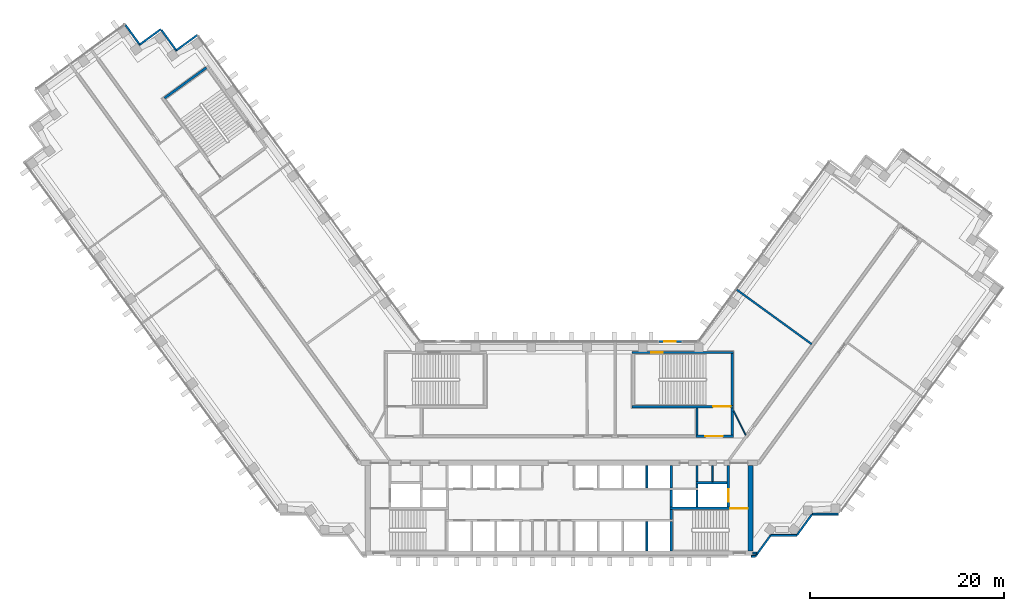
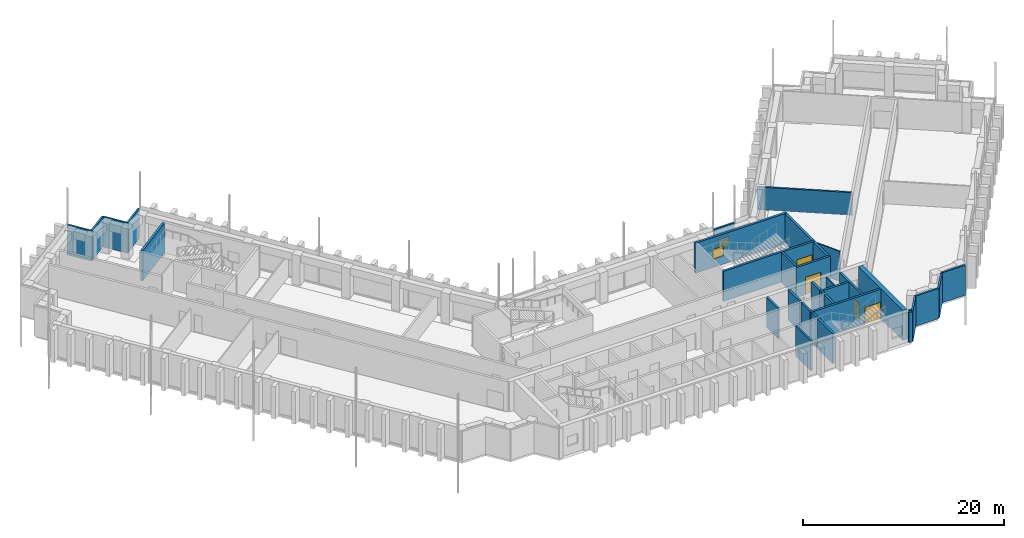
# One storey, part 12 of 16: 34 walls, 4 doors, 2 windows, 6 openings.
"""IFC4 building model written with IfcOpenShell, lengths in metres."""

import ifcopenshell
import ifcopenshell.guid

model = None  # the IFC model being written
_history = None  # IfcOwnerHistory: only IFC2X3 demands one
_inside = {}  # id of a spatial element -> (the spatial element, [elements in it])
_under = {}  # id of a project, library or spatial element -> (it, [spatial elements below it])
_declared = {}  # id of a project -> (the project, [libraries it declares])
_typed = {}  # id of a type object -> (the type object, [elements of that type])
_made_of = {}  # id of a material, layer set ... -> (it, [elements and type objects made of it])


def new_model(schema):
    """Start an empty IFC model of exactly this schema.

    Asked for "IFC4X3", IfcOpenShell would pick the latest addendum, in which some entities
    have other attributes; the version numbers below select the first issue.
    IFC2X3 requires an IfcOwnerHistory on every rooted entity: one is made here for all.
    """
    global model, _history
    if schema == "IFC4X3":
        model = ifcopenshell.file(schema_version=(4, 3, 0, 0))
    else:
        model = ifcopenshell.file(schema=schema)
    _inside.clear()
    _under.clear()
    _declared.clear()
    _typed.clear()
    _made_of.clear()
    _history = None
    if model.schema == "IFC2X3":
        org = make("IfcOrganization", Name="unknown")
        user = make(
            "IfcPersonAndOrganization",
            ThePerson=make("IfcPerson", FamilyName="unknown"),
            TheOrganization=org,
        )
        app = make(
            "IfcApplication",
            ApplicationDeveloper=org,
            Version="unknown",
            ApplicationFullName="unknown",
            ApplicationIdentifier="unknown",
        )
        _history = make(
            "IfcOwnerHistory",
            OwningUser=user,
            OwningApplication=app,
            ChangeAction="ADDED",
            CreationDate=0,
        )
    return model


def make(cls, **values):
    """One entity of the class cls with the attributes given. An attribute that is None is left unset."""
    return model.create_entity(
        cls, **{name: value for name, value in values.items() if value is not None}
    )


def rooted(cls, **values):
    """An entity with a GlobalId (a new one), such as an element, a storey or a relation."""
    return make(cls, GlobalId=ifcopenshell.guid.new(), OwnerHistory=_history, **values)


def si_unit(unit_type, name, prefix=None):
    """IfcSIUnit, for example si_unit("LENGTHUNIT", "METRE", prefix="MILLI")."""
    return make("IfcSIUnit", UnitType=unit_type, Prefix=prefix, Name=name)


def assignment(units):
    """IfcUnitAssignment: the units of a project."""
    return None if units is None else make("IfcUnitAssignment", Units=units)


def point(xyz):
    """IfcCartesianPoint."""
    return None if xyz is None else make("IfcCartesianPoint", Coordinates=xyz)


def direction(xyz):
    """IfcDirection."""
    return None if xyz is None else make("IfcDirection", DirectionRatios=xyz)


def frame(location, z_axis=None, x_axis=None):
    """IfcAxis2Placement3D, a coordinate frame: its origin and axes. An axis left out is left unset."""
    return make(
        "IfcAxis2Placement3D",
        Location=point(location),
        Axis=direction(z_axis),
        RefDirection=direction(x_axis),
    )


def frame_2d(location, x_axis=None):
    """IfcAxis2Placement2D, a coordinate frame in the plane: its origin and x axis."""
    return make(
        "IfcAxis2Placement2D", Location=point(location), RefDirection=direction(x_axis)
    )


def origin():
    """The frame at (0, 0, 0) with its axes left unset."""
    return frame((0.0, 0.0, 0.0))


def place(relative_to, where):
    """IfcLocalPlacement: puts the frame where relative to a parent placement (None: the world)."""
    return make(
        "IfcLocalPlacement", PlacementRelTo=relative_to, RelativePlacement=where
    )


def context(
    kind, dimensions, precision=None, world=None, true_north=None, identifier=None
):
    """IfcGeometricRepresentationContext, for example the 3D "Model" context."""
    return make(
        "IfcGeometricRepresentationContext",
        ContextIdentifier=identifier,
        ContextType=kind,
        CoordinateSpaceDimension=dimensions,
        Precision=precision,
        WorldCoordinateSystem=world,
        TrueNorth=true_north,
    )


def subcontext(parent, identifier, kind, view, scale=None):
    """IfcGeometricRepresentationSubContext, for example "Body" below "Model"."""
    return make(
        "IfcGeometricRepresentationSubContext",
        ContextIdentifier=identifier,
        ContextType=kind,
        ParentContext=parent,
        TargetScale=scale,
        TargetView=view,
    )


def project(units=None, contexts=None):
    """IfcProject with its units and contexts."""
    return rooted(
        "IfcProject",
        Name="project",
        RepresentationContexts=contexts,
        UnitsInContext=assignment(units),
    )


def spatial(cls, under=None, at=None, **own):
    """A site, building, storey or space (cls), placed at a placement, below another one or the project."""
    s = rooted(cls, ObjectPlacement=at, **own)
    if under is not None:
        _under.setdefault(under.id(), (under, []))[1].append(s)
    return s


def profile(cls, at=None, kind="AREA", **sizes):
    """A parametric profile (cls). Its sizes go by their IFC names, for example OverallWidth=200.0."""
    return make(cls, ProfileType=kind, Position=at, **sizes)


def rectangle(**sizes):
    """IfcRectangleProfileDef."""
    return profile("IfcRectangleProfileDef", **sizes)


def extrude(swept, where, along, depth):
    """IfcExtrudedAreaSolid: the profile swept, set in the frame where, extruded along a direction by depth."""
    return make(
        "IfcExtrudedAreaSolid",
        SweptArea=swept,
        Position=where,
        ExtrudedDirection=direction(along),
        Depth=depth,
    )


def shape(context_of_items, identifier, shape_type, items):
    """IfcShapeRepresentation: the items that make up one representation, for example the "Body"."""
    return make(
        "IfcShapeRepresentation",
        ContextOfItems=context_of_items,
        RepresentationIdentifier=identifier,
        RepresentationType=shape_type,
        Items=items,
    )


def material(Name=None, Category=None):
    """IfcMaterial."""
    return make("IfcMaterial", Name=Name, Category=Category)


def layer(
    of_material, thickness, ventilated=None, Name=None, Category=None, Priority=None
):
    """IfcMaterialLayer: one layer of a wall or slab, of a material (None: an air gap)."""
    return make(
        "IfcMaterialLayer",
        Material=of_material,
        LayerThickness=thickness,
        IsVentilated=ventilated,
        Name=Name,
        Category=Category,
        Priority=Priority,
    )


def layer_set(layers, Name=None):
    """IfcMaterialLayerSet."""
    return make("IfcMaterialLayerSet", MaterialLayers=layers, LayerSetName=Name)


def made_of(thing, what):
    """Note that an element or type object is made of a material, layer set ...; save() writes the relation."""
    if what is not None:
        _made_of.setdefault(what.id(), (what, []))[1].append(thing)
    return thing


def type_object(cls, material=None, **own):
    """A type object (cls), such as IfcWallType, which elements share."""
    return made_of(rooted(cls, **own), material)


def element(
    cls,
    number,
    at=None,
    inside=None,
    cuts=None,
    type_object=None,
    material=None,
    context=None,
    identifier="Body",
    shape_type=None,
    held_by="IfcProductDefinitionShape",
    body=None,
    shapes=None,
    **own,
):
    """One element of the class cls, such as IfcWall. Its Tag is "e" and its number.

    at: its placement. inside: the storey or other place that contains it. cuts: it is an
    opening in that element (IfcRelVoidsElement). A single representation is given by context,
    identifier, shape_type and body (its items); several are given by shapes. held_by: the class
    of the entity that holds the representations. save() writes the other relations.
    """
    e = rooted(cls, Tag="e%d" % number, ObjectPlacement=at, **own)
    if body is not None:
        shapes = [shape(context, identifier, shape_type, body)]
    if shapes is not None:
        e.Representation = make(held_by, Representations=shapes)
    if inside is not None:
        _inside.setdefault(inside.id(), (inside, []))[1].append(e)
    if cuts is not None:
        rooted(
            "IfcRelVoidsElement", RelatingBuildingElement=cuts, RelatedOpeningElement=e
        )
    if type_object is not None:
        _typed.setdefault(type_object.id(), (type_object, []))[1].append(e)
    return made_of(e, material)


def fill(opening, filler):
    """IfcRelFillsElement: the door or window that sits in an opening."""
    return rooted(
        "IfcRelFillsElement",
        RelatingOpeningElement=opening,
        RelatedBuildingElement=filler,
    )


def aggregate(whole, parts):
    """IfcRelAggregates: a whole, such as a stair, and the parts it consists of."""
    return rooted("IfcRelAggregates", RelatingObject=whole, RelatedObjects=parts)


def save(model, path):
    """Write the relations noted so far, then the file.

    IfcRelAggregates (storeys below a building ...), IfcRelContainedInSpatialStructure (elements
    in a storey), IfcRelDefinesByType, IfcRelAssociatesMaterial and IfcRelDeclares: one each for
    every whole, place, type object, material and project.
    """
    for whole, parts in _under.values():
        aggregate(whole, parts)
    for where, things in _inside.values():
        rooted(
            "IfcRelContainedInSpatialStructure",
            RelatedElements=things,
            RelatingStructure=where,
        )
    for kind, things in _typed.values():
        rooted("IfcRelDefinesByType", RelatedObjects=things, RelatingType=kind)
    for what, things in _made_of.values():
        rooted("IfcRelAssociatesMaterial", RelatedObjects=things, RelatingMaterial=what)
    for by, libraries in _declared.values():
        rooted("IfcRelDeclares", RelatingContext=by, RelatedDefinitions=libraries)
    model.write(path)


model = new_model("IFC4")

# Units and contexts
model_context = context("Model", 3, precision=1e-05, world=origin(), true_north=direction((0.0, 1.0)))
body_context = subcontext(model_context, "Body", "Model", "MODEL_VIEW")
ifc_project = project(units=[si_unit("LENGTHUNIT", "METRE"), si_unit("AREAUNIT", "SQUARE_METRE"), si_unit("VOLUMEUNIT", "CUBIC_METRE"), si_unit("PLANEANGLEUNIT", "RADIAN"), si_unit("MASSUNIT", "GRAM", prefix="KILO")], contexts=[model_context])

# Site, building, storey
site_placement = place(None, origin())
site = spatial("IfcSite", under=ifc_project, at=site_placement, CompositionType="ELEMENT")
building_placement = place(site_placement, origin())
building = spatial("IfcBuilding", under=site, at=building_placement, Name="Quipu Civic Tower", CompositionType="ELEMENT")
storey_placement = place(building_placement, frame((0.0, 0.0, 125.0)))
storey = spatial("IfcBuildingStorey", under=building, at=storey_placement, Name="L29", CompositionType="ELEMENT", Elevation=125.0)

# Walls
ifc_material_1 = material(Name="Fired clay blockwork", Category="masonry")
ifc_layer_1 = layer(ifc_material_1, 0.199951171875)
ifc_layer_set_1 = layer_set([ifc_layer_1], Name="Fired clay blockwork")
wall_type_1 = type_object("IfcWallType", Name="Blockwork wall 200", PredefinedType="SOLIDWALL", material=ifc_layer_set_1)
wall_1_placement = place(storey_placement, frame((26.0771484375, 10.831787109375, 0.0), z_axis=(0.0, 0.0, 1.0), x_axis=(-0.809052142986, 0.587736871338, 0.0)))
element("IfcWall", 1, at=wall_1_placement, inside=storey, type_object=wall_type_1, Name="Partition P11", PredefinedType="SOLIDWALL", context=body_context, shape_type="SweptSolid", body=[
    extrude(rectangle(XDim=9.5498046875, YDim=0.199951171875, at=frame_2d((4.77490234375, 0.0))), origin(), (0.0, 0.0, 1.0), 2.75),
])
ifc_material_2 = material(Name="Concrete C70/85", Category="concrete")
ifc_layer_2 = layer(ifc_material_2, 0.25)
ifc_layer_set_2 = layer_set([ifc_layer_2], Name="Concrete C70/85")
wall_type_2 = type_object("IfcWallType", Name="Core wall 250", PredefinedType="SHEAR", material=ifc_layer_set_2)
wall_2_placement = place(storey_placement, frame((11.574951171875, -10.5, 0.0), z_axis=(0.0, 0.0, 1.0), x_axis=(0.0, 1.0, 0.0)))
element("IfcWall", 2, at=wall_2_placement, inside=storey, type_object=wall_type_2, Name="Core wall", PredefinedType="SHEAR", context=body_context, shape_type="SweptSolid", body=[
    extrude(rectangle(XDim=3.0, YDim=0.25, at=frame_2d((1.5, 0.0))), origin(), (0.0, 0.0, 1.0), 3.64990234375),
])
wall_3_placement = place(storey_placement, frame((11.574951171875, -7.25, 0.0), z_axis=(0.0, 0.0, 1.0), x_axis=(0.0, 1.0, 0.0)))
element("IfcWall", 3, at=wall_3_placement, inside=storey, type_object=wall_type_2, Name="Core wall", PredefinedType="SHEAR", context=body_context, shape_type="SweptSolid", body=[
    extrude(rectangle(XDim=1.0, YDim=0.25, at=frame_2d((0.5, 0.0))), origin(), (0.0, 0.0, 1.0), 3.64990234375),
])

# Wall, opening, door
wall_4_placement = place(storey_placement, frame((19.5, -6.125, 0.0), z_axis=(0.0, 0.0, 1.0), x_axis=(-1.0, 0.0, 0.0)))
wall_4 = element("IfcWall", 4, at=wall_4_placement, inside=storey, type_object=wall_type_2, Name="Core wall", PredefinedType="SHEAR", context=body_context, shape_type="SweptSolid", body=[
    extrude(rectangle(XDim=8.050048828125, YDim=0.25, at=frame_2d((4.02490234375, 0.0))), origin(), (0.0, 0.0, 1.0), 3.64990234375),
])
opening_1_placement = place(wall_4_placement, frame((0.050048828125, 0.0, 0.0)))
opening_1 = element("IfcOpeningElement", 5, at=opening_1_placement, cuts=wall_4, Name="Opening CD-06", PredefinedType="OPENING", context=body_context, shape_type="SweptSolid", body=[
    extrude(rectangle(XDim=1.800048828125, YDim=2.10009765625, at=frame_2d((0.89990234375, 1.050048828125))), frame((0.0, 0.135009765625, 0.0), z_axis=(0.0, -1.0, 0.0), x_axis=(1.0, 0.0, 0.0)), (0.0, 0.0, 1.0), 0.27001953125),
])
ifc_material_3 = material(Name="Fire rated steel door", Category="steel")
door_type_1 = type_object("IfcDoorType", Name="Fire door FD90 double 1800 x 2100", OperationType="NOTDEFINED", PredefinedType="DOOR", material=ifc_material_3)
door_1_placement = place(opening_1_placement, origin())
door_1 = element("IfcDoor", 6, at=door_1_placement, inside=storey, type_object=door_type_1, Name="Door", OperationType="DOUBLE_DOOR_SINGLE_SWING", OverallHeight=2.10009765625, OverallWidth=1.800048828125, PredefinedType="DOOR", context=body_context, shape_type="SweptSolid", body=[
    extrude(rectangle(XDim=1.800048828125, YDim=2.10009765625, at=frame_2d((0.89990234375, 1.050048828125))), frame((0.0, 0.02490234375, 0.0), z_axis=(0.0, -1.0, 0.0), x_axis=(1.0, 0.0, 0.0)), (0.0, 0.0, 1.0), 0.050048828125),
])
fill(opening_1, door_1)

# Walls
for number, where, z_axis, x_axis, name in (
    (7, (11.574951171875, -6.0, 0.0), (0.0, 0.0, 1.0), (0.0, 1.0, 0.0), "Core wall"),
    (8, (14.22509765625, -6.0, 0.0), (0.0, 0.0, 1.0), (0.0, 1.0, 0.0), "Core wall"),
):
    element("IfcWall", number, at=place(storey_placement, frame(where, z_axis=z_axis, x_axis=x_axis)), inside=storey, type_object=wall_type_2, Name=name, PredefinedType="SHEAR", context=body_context, shape_type="SweptSolid", body=[
        extrude(rectangle(XDim=1.75, YDim=0.25, at=frame_2d((0.875, 0.0))), origin(), (0.0, 0.0, 1.0), 3.64990234375),
    ])

# Wall, opening, door
wall_5_placement = place(storey_placement, frame((17.47509765625, -6.0, 0.0), z_axis=(0.0, 0.0, 1.0), x_axis=(0.0, 1.0, 0.0)))
wall_5 = element("IfcWall", 9, at=wall_5_placement, inside=storey, type_object=wall_type_2, Name="Core wall", PredefinedType="SHEAR", context=body_context, shape_type="SweptSolid", body=[
    extrude(rectangle(XDim=4.300048828125, YDim=0.25, at=frame_2d((2.14990234375, 0.0))), origin(), (0.0, 0.0, 1.0), 3.64990234375),
])
opening_2_placement = place(wall_5_placement, frame((0.550048828125, 0.0, 0.0)))
opening_2 = element("IfcOpeningElement", 10, at=opening_2_placement, cuts=wall_5, Name="Opening LD-FF2", PredefinedType="OPENING", context=body_context, shape_type="SweptSolid", body=[
    extrude(rectangle(XDim=1.300048828125, YDim=2.10009765625, at=frame_2d((0.64990234375, 1.050048828125))), frame((0.0, 0.135009765625, 0.0), z_axis=(0.0, -1.0, 0.0), x_axis=(1.0, 0.0, 0.0)), (0.0, 0.0, 1.0), 0.27001953125),
])
ifc_material_4 = material(Name="Stainless steel", Category="steel")
door_type_2 = type_object("IfcDoorType", Name="Lift landing door 1300 x 2100", OperationType="DOUBLE_DOOR_SLIDING", PredefinedType="DOOR", material=ifc_material_4)
door_2_placement = place(opening_2_placement, origin())
door_2 = element("IfcDoor", 11, at=door_2_placement, inside=storey, type_object=door_type_2, Name="Landing door FF2", OperationType="DOUBLE_DOOR_SLIDING", OverallHeight=2.10009765625, OverallWidth=1.300048828125, PredefinedType="DOOR", context=body_context, shape_type="SweptSolid", body=[
    extrude(rectangle(XDim=1.300048828125, YDim=2.10009765625, at=frame_2d((0.64990234375, 1.050048828125))), frame((0.0, 0.02490234375, 0.0), z_axis=(0.0, -1.0, 0.0), x_axis=(1.0, 0.0, 0.0)), (0.0, 0.0, 1.0), 0.050048828125),
])
fill(opening_2, door_2)

# Walls
wall_6_placement = place(storey_placement, frame((11.574951171875, -4.0, 0.0), z_axis=(0.0, 0.0, 1.0), x_axis=(0.0, 1.0, 0.0)))
element("IfcWall", 12, at=wall_6_placement, inside=storey, type_object=wall_type_2, Name="Core wall", PredefinedType="SHEAR", context=body_context, shape_type="SweptSolid", body=[
    extrude(rectangle(XDim=2.300048828125, YDim=0.25, at=frame_2d((1.14990234375, 0.0))), origin(), (0.0, 0.0, 1.0), 3.64990234375),
])
wall_7_placement = place(storey_placement, frame((14.22509765625, -4.0, 0.0), z_axis=(0.0, 0.0, 1.0), x_axis=(0.0, 1.0, 0.0)))
element("IfcWall", 13, at=wall_7_placement, inside=storey, type_object=wall_type_2, Name="Core wall", PredefinedType="SHEAR", context=body_context, shape_type="SweptSolid", body=[
    extrude(rectangle(XDim=0.39990234375, YDim=0.25, at=frame_2d((0.199951171875, 0.0))), origin(), (0.0, 0.0, 1.0), 3.64990234375),
])
wall_8_placement = place(storey_placement, frame((14.10009765625, -3.47509765625, 0.0), z_axis=(0.0, 0.0, 1.0), x_axis=(1.0, 0.0, 0.0)))
element("IfcWall", 14, at=wall_8_placement, inside=storey, type_object=wall_type_2, Name="Core wall", PredefinedType="SHEAR", context=body_context, shape_type="SweptSolid", body=[
    extrude(rectangle(XDim=3.25, YDim=0.25, at=frame_2d((1.625, 0.0))), origin(), (0.0, 0.0, 1.0), 3.64990234375),
])
wall_9_placement = place(storey_placement, frame((14.22509765625, -3.35009765625, 0.0), z_axis=(0.0, 0.0, 1.0), x_axis=(0.0, 1.0, 0.0)))
element("IfcWall", 15, at=wall_9_placement, inside=storey, type_object=wall_type_2, Name="Core wall", PredefinedType="SHEAR", context=body_context, shape_type="SweptSolid", body=[
    extrude(rectangle(XDim=1.650146484375, YDim=0.25, at=frame_2d((0.8251953125, 0.0))), origin(), (0.0, 0.0, 1.0), 3.64990234375),
])

# Wall, opening, door
wall_10_placement = place(storey_placement, frame((14.10009765625, 1.324951171875, 0.0), z_axis=(0.0, 0.0, 1.0), x_axis=(1.0, 0.0, 0.0)))
wall_10 = element("IfcWall", 16, at=wall_10_placement, inside=storey, type_object=wall_type_2, Name="Core wall", PredefinedType="SHEAR", context=body_context, shape_type="SweptSolid", body=[
    extrude(rectangle(XDim=3.89990234375, YDim=0.25, at=frame_2d((1.949951171875, 0.0))), origin(), (0.0, 0.0, 1.0), 3.64990234375),
])
opening_3_placement = place(wall_10_placement, frame((1.0, 0.0, 0.0)))
opening_3 = element("IfcOpeningElement", 17, at=opening_3_placement, cuts=wall_10, Name="Opening CD-18", PredefinedType="OPENING", context=body_context, shape_type="SweptSolid", body=[
    extrude(rectangle(XDim=1.800048828125, YDim=2.10009765625, at=frame_2d((0.89990234375, 1.050048828125))), frame((0.0, 0.135009765625, 0.0), z_axis=(0.0, -1.0, 0.0), x_axis=(1.0, 0.0, 0.0)), (0.0, 0.0, 1.0), 0.27001953125),
])
door_3_placement = place(opening_3_placement, origin())
door_3 = element("IfcDoor", 18, at=door_3_placement, inside=storey, type_object=door_type_1, Name="Lobby door", OperationType="DOUBLE_DOOR_SINGLE_SWING", OverallHeight=2.10009765625, OverallWidth=1.800048828125, PredefinedType="DOOR", context=body_context, shape_type="SweptSolid", body=[
    extrude(rectangle(XDim=1.800048828125, YDim=2.10009765625, at=frame_2d((0.89990234375, 1.050048828125))), frame((0.0, 0.02490234375, 0.0), z_axis=(0.0, -1.0, 0.0), x_axis=(1.0, 0.0, 0.0)), (0.0, 0.0, 1.0), 0.050048828125),
])
fill(opening_3, door_3)

# Walls
for number, where, z_axis, x_axis, name in (
    (19, (14.22509765625, 1.449951171875, 0.0), (0.0, 0.0, 1.0), (0.0, 1.0, 0.0), "Core wall"),
    (20, (17.875, 1.449951171875, 0.0), (0.0, 0.0, 1.0), (0.0, 1.0, 0.0), "Core wall"),
):
    element("IfcWall", number, at=place(storey_placement, frame(where, z_axis=z_axis, x_axis=x_axis)), inside=storey, type_object=wall_type_2, Name=name, PredefinedType="SHEAR", context=body_context, shape_type="SweptSolid", body=[
        extrude(rectangle(XDim=2.800048828125, YDim=0.25, at=frame_2d((1.39990234375, 0.0))), origin(), (0.0, 0.0, 1.0), 3.64990234375),
    ])

# Wall, opening, door
wall_11_placement = place(storey_placement, frame((7.5, 4.375, 0.0), z_axis=(0.0, 0.0, 1.0), x_axis=(1.0, 0.0, 0.0)))
wall_11 = element("IfcWall", 21, at=wall_11_placement, inside=storey, type_object=wall_type_2, Name="Core wall", PredefinedType="SHEAR", context=body_context, shape_type="SweptSolid", body=[
    extrude(rectangle(XDim=10.5, YDim=0.25, at=frame_2d((5.25, 0.0))), origin(), (0.0, 0.0, 1.0), 3.64990234375),
])
opening_4_placement = place(wall_11_placement, frame((8.39990234375, 0.0, 0.0)))
opening_4 = element("IfcOpeningElement", 22, at=opening_4_placement, cuts=wall_11, Name="Opening CD-19", PredefinedType="OPENING", context=body_context, shape_type="SweptSolid", body=[
    extrude(rectangle(XDim=1.800048828125, YDim=2.10009765625, at=frame_2d((0.89990234375, 1.050048828125))), frame((0.0, 0.135009765625, 0.0), z_axis=(0.0, -1.0, 0.0), x_axis=(1.0, 0.0, 0.0)), (0.0, 0.0, 1.0), 0.27001953125),
])
door_4_placement = place(opening_4_placement, origin())
door_4 = element("IfcDoor", 23, at=door_4_placement, inside=storey, type_object=door_type_1, Name="Door", OperationType="DOUBLE_DOOR_SINGLE_SWING", OverallHeight=2.10009765625, OverallWidth=1.800048828125, PredefinedType="DOOR", context=body_context, shape_type="SweptSolid", body=[
    extrude(rectangle(XDim=1.800048828125, YDim=2.10009765625, at=frame_2d((0.89990234375, 1.050048828125))), frame((0.0, 0.02490234375, 0.0), z_axis=(0.0, -1.0, 0.0), x_axis=(1.0, 0.0, 0.0)), (0.0, 0.0, 1.0), 0.050048828125),
])
fill(opening_4, door_4)

# Wall
wall_12_placement = place(storey_placement, frame((17.875, 4.5, 0.0), z_axis=(0.0, 0.0, 1.0), x_axis=(0.0, 1.0, 0.0)))
element("IfcWall", 24, at=wall_12_placement, inside=storey, type_object=wall_type_2, Name="Core wall", PredefinedType="SHEAR", context=body_context, shape_type="SweptSolid", body=[
    extrude(rectangle(XDim=5.35009765625, YDim=0.25, at=frame_2d((2.675048828125, 0.0))), origin(), (0.0, 0.0, 1.0), 3.64990234375),
])

# Wall, opening, window
wall_13_placement = place(storey_placement, frame((7.5, 9.97509765625, 0.0), z_axis=(0.0, 0.0, 1.0), x_axis=(1.0, 0.0, 0.0)))
wall_13 = element("IfcWall", 25, at=wall_13_placement, inside=storey, type_object=wall_type_2, Name="Core wall", PredefinedType="SHEAR", context=body_context, shape_type="SweptSolid", body=[
    extrude(rectangle(XDim=10.5, YDim=0.25, at=frame_2d((5.25, 0.0))), origin(), (0.0, 0.0, 1.0), 3.64990234375),
])
opening_5_placement = place(wall_13_placement, frame((2.0, 0.0, 1.0)))
opening_5 = element("IfcOpeningElement", 26, at=opening_5_placement, cuts=wall_13, Name="Opening SV-4", PredefinedType="OPENING", context=body_context, shape_type="SweptSolid", body=[
    extrude(rectangle(XDim=1.199951171875, YDim=1.199951171875, at=frame_2d((0.60009765625, 0.60009765625))), frame((0.0, 0.135009765625, 0.0), z_axis=(0.0, -1.0, 0.0), x_axis=(1.0, 0.0, 0.0)), (0.0, 0.0, 1.0), 0.27001953125),
])
ifc_material_5 = material(Name="Aluminium louvre", Category="aluminium")
window_type_1 = type_object("IfcWindowType", Name="Stair ventilation louvre 1200 x 1200", PartitioningType="SINGLE_PANEL", PredefinedType="WINDOW", material=ifc_material_5)
window_1_placement = place(opening_5_placement, origin())
window_1 = element("IfcWindow", 27, at=window_1_placement, inside=storey, type_object=window_type_1, Name="Stair ventilation opening", OverallHeight=1.199951171875, OverallWidth=1.199951171875, PartitioningType="SINGLE_PANEL", PredefinedType="WINDOW", context=body_context, shape_type="SweptSolid", body=[
    extrude(rectangle(XDim=1.199951171875, YDim=1.199951171875, at=frame_2d((0.60009765625, 0.60009765625))), frame((0.0, 0.030029296875, 0.0), z_axis=(0.0, -1.0, 0.0), x_axis=(1.0, 0.0, 0.0)), (0.0, 0.0, 1.0), 0.06005859375),
])
fill(opening_5, window_1)

# Walls
wall_14_placement = place(storey_placement, frame((-36.43896484375, 39.384033203125, 0.0), z_axis=(0.0, 0.0, 1.0), x_axis=(-0.809020161303, -0.587780893365, 0.0)))
element("IfcWall", 28, at=wall_14_placement, inside=storey, type_object=wall_type_2, Name="Core wall", PredefinedType="SHEAR", context=body_context, shape_type="SweptSolid", body=[
    extrude(rectangle(XDim=5.349853515625, YDim=0.25, at=frame_2d((2.6748046875, 0.0))), origin(), (0.0, 0.0, 1.0), 3.64990234375),
])
ifc_material_6 = material(Name="Concrete C70/85", Category="concrete")
ifc_layer_3 = layer(ifc_material_6, 0.5)
ifc_layer_set_3 = layer_set([ifc_layer_3], Name="Concrete C70/85")
wall_type_3 = type_object("IfcWallType", Name="Core wall 500", PredefinedType="SHEAR", material=ifc_layer_set_3)
wall_15_placement = place(storey_placement, frame((19.75, -10.5, 0.0), z_axis=(0.0, 0.0, 1.0), x_axis=(0.0, 1.0, 0.0)))
element("IfcWall", 29, at=wall_15_placement, inside=storey, type_object=wall_type_3, Name="Core wall", PredefinedType="SHEAR", context=body_context, shape_type="SweptSolid", body=[
    extrude(rectangle(XDim=8.800048828125, YDim=0.5, at=frame_2d((4.39990234375, 0.0))), origin(), (0.0, 0.0, 1.0), 3.64990234375),
])
ifc_material_7 = material(Name="Gypsum plasterboard on light gauge framing")
ifc_layer_4 = layer(ifc_material_7, 0.1201171875)
ifc_layer_set_4 = layer_set([ifc_layer_4], Name="Gypsum plasterboard on light gauge framing")
wall_type_4 = type_object("IfcWallType", Name="Partition 120 plasterboard", PredefinedType="PARTITIONING", material=ifc_layer_set_4)
wall_16_placement = place(storey_placement, frame((18.0, 3.925048828125, 0.0), z_axis=(0.0, 0.0, 1.0), x_axis=(0.453950796792, -0.891026752736, 0.0)))
element("IfcWall", 30, at=wall_16_placement, inside=storey, type_object=wall_type_4, Name="Partition P13", PredefinedType="PARTITIONING", context=body_context, shape_type="SweptSolid", body=[
    extrude(rectangle(XDim=2.77783203125, YDim=0.1201171875, at=frame_2d((1.388916015625, 0.0))), origin(), (0.0, 0.0, 1.0), 3.64990234375),
])
ifc_material_8 = material(Name="Gypsum board partition")
ifc_layer_5 = layer(ifc_material_8, 0.14990234375)
ifc_layer_set_5 = layer_set([ifc_layer_5], Name="Gypsum board partition")
wall_type_5 = type_object("IfcWallType", Name="Partition 150", PredefinedType="PARTITIONING", material=ifc_layer_set_5)
wall_17_placement = place(storey_placement, frame((15.85009765625, -3.35009765625, 0.0), z_axis=(0.0, 0.0, 1.0), x_axis=(0.0, 1.0, 0.0)))
element("IfcWall", 31, at=wall_17_placement, inside=storey, type_object=wall_type_5, Name="Partition", PredefinedType="PARTITIONING", context=body_context, shape_type="SweptSolid", body=[
    extrude(rectangle(XDim=1.650146484375, YDim=0.14990234375, at=frame_2d((0.8251953125, 0.0))), origin(), (0.0, 0.0, 1.0), 3.64990234375),
])
ifc_material_9 = material(Name="Precast concrete C40/50", Category="concrete")
wall_type_6 = type_object("IfcWallType", Name="Precast cladding wall", PredefinedType="SOLIDWALL", material=ifc_material_9)
wall_18_placement = place(storey_placement, frame((-37.352783203125, 42.768310546875, 0.0), z_axis=(0.0, 0.0, 1.0), x_axis=(-0.809033161865, -0.587762999008, 0.0)))
element("IfcWall", 32, at=wall_18_placement, inside=storey, type_object=wall_type_6, Name="Precast cladding wall L29 P05", PredefinedType="SOLIDWALL", context=body_context, shape_type="SweptSolid", body=[
    extrude(rectangle(XDim=2.699951171875, YDim=0.199951171875, at=frame_2d((1.35009765625, 0.0))), origin(), (0.0, 0.0, 1.0), 3.64990234375),
])
wall_19_placement = place(storey_placement, frame((-39.488037109375, 41.093505859375, 0.0), z_axis=(0.0, 0.0, 1.0), x_axis=(-0.587806000234, 0.809001919707, 0.0)))
element("IfcWall", 33, at=wall_19_placement, inside=storey, type_object=wall_type_6, Name="Precast cladding wall L29 P06", PredefinedType="SOLIDWALL", context=body_context, shape_type="SweptSolid", body=[
    extrude(rectangle(XDim=2.69970703125, YDim=0.199951171875, at=frame_2d((1.349853515625, 0.0))), origin(), (0.0, 0.0, 1.0), 3.64990234375),
])
for number, where, z_axis, x_axis, name in (
    (34, (-41.1240234375, 43.36572265625, 0.0), (0.0, 0.0, 1.0), (-0.809033161865, -0.587762999008, 0.0), "Precast cladding wall L29 P07"),
    (35, (-43.25927734375, 41.690673828125, 0.0), (0.0, 0.0, 1.0), (-0.587822180636, 0.808990163075, 0.0), "Precast cladding wall L29 P08"),
):
    element("IfcWall", number, at=place(storey_placement, frame(where, z_axis=z_axis, x_axis=x_axis)), inside=storey, type_object=wall_type_6, Name=name, PredefinedType="SOLIDWALL", context=body_context, shape_type="SweptSolid", body=[
        extrude(rectangle(XDim=2.699951171875, YDim=0.199951171875, at=frame_2d((1.35009765625, 0.0))), origin(), (0.0, 0.0, 1.0), 3.64990234375),
    ])
wall_20_placement = place(storey_placement, frame((19.85009765625, -11.087890625, 0.0), z_axis=(0.0, 0.0, 1.0), x_axis=(1.0, 0.0, 0.0)))
element("IfcWall", 36, at=wall_20_placement, inside=storey, type_object=wall_type_6, Name="Precast cladding wall L29 P22", PredefinedType="SOLIDWALL", context=body_context, shape_type="SweptSolid", body=[
    extrude(rectangle(XDim=0.40576171875, YDim=0.199951171875, at=frame_2d((0.202880859375, 0.0))), origin(), (0.0, 0.0, 1.0), 3.64990234375),
])
wall_21_placement = place(storey_placement, frame((20.253173828125, -11.083251953125, 0.0), z_axis=(0.0, 0.0, 1.0), x_axis=(0.587766567315, 0.809030569476, 0.0)))
element("IfcWall", 37, at=wall_21_placement, inside=storey, type_object=wall_type_6, Name="Precast cladding wall L29 P23", PredefinedType="SOLIDWALL", context=body_context, shape_type="SweptSolid", body=[
    extrude(rectangle(XDim=2.687744140625, YDim=0.199951171875, at=frame_2d((1.34375, 0.0))), origin(), (0.0, 0.0, 1.0), 3.64990234375),
])
wall_22_placement = place(storey_placement, frame((21.8427734375, -8.90380859375, 0.0), z_axis=(0.0, 0.0, 1.0), x_axis=(1.0, 0.0, 0.0)))
element("IfcWall", 38, at=wall_22_placement, inside=storey, type_object=wall_type_6, Name="Precast cladding wall L29 P24", PredefinedType="SOLIDWALL", context=body_context, shape_type="SweptSolid", body=[
    extrude(rectangle(XDim=2.699951171875, YDim=0.199951171875, at=frame_2d((1.35009765625, 0.0))), origin(), (0.0, 0.0, 1.0), 3.64990234375),
])
wall_23_placement = place(storey_placement, frame((24.533203125, -8.90869140625, 0.0), z_axis=(0.0, 0.0, 1.0), x_axis=(0.587720002413, 0.809064397168, 0.0)))
element("IfcWall", 39, at=wall_23_placement, inside=storey, type_object=wall_type_6, Name="Precast cladding wall L29 P25", PredefinedType="SOLIDWALL", context=body_context, shape_type="SweptSolid", body=[
    extrude(rectangle(XDim=2.7001953125, YDim=0.199951171875, at=frame_2d((1.35009765625, 0.0))), origin(), (0.0, 0.0, 1.0), 3.64990234375),
])
wall_24_placement = place(storey_placement, frame((26.1298828125, -6.71923828125, 0.0), z_axis=(0.0, 0.0, 1.0), x_axis=(1.0, 0.0, 0.0)))
element("IfcWall", 40, at=wall_24_placement, inside=storey, type_object=wall_type_6, Name="Precast cladding wall L29 P26", PredefinedType="SOLIDWALL", context=body_context, shape_type="SweptSolid", body=[
    extrude(rectangle(XDim=2.699951171875, YDim=0.199951171875, at=frame_2d((1.35009765625, 0.0))), origin(), (0.0, 0.0, 1.0), 3.64990234375),
])

# Wall, opening, window
wall_25_placement = place(storey_placement, frame((12.655029296875, 11.10009765625, 0.0), z_axis=(0.0, 0.0, 1.0), x_axis=(-1.0, 0.0, 0.0)))
wall_25 = element("IfcWall", 41, at=wall_25_placement, inside=storey, type_object=wall_type_6, Name="Vent surround SF-L28-2", PredefinedType="SOLIDWALL", context=body_context, shape_type="SweptSolid", body=[
    extrude(rectangle(XDim=2.3916015625, YDim=0.199951171875, at=frame_2d((1.19580078125, 0.0))), origin(), (0.0, 0.0, 1.0), 3.64990234375),
])
opening_6_placement = place(wall_25_placement, frame((0.595703125, 0.0, 1.0)))
opening_6 = element("IfcOpeningElement", 42, at=opening_6_placement, cuts=wall_25, Name="Opening SF-L28-2", PredefinedType="OPENING", context=body_context, shape_type="SweptSolid", body=[
    extrude(rectangle(XDim=1.199951171875, YDim=1.199951171875, at=frame_2d((0.60009765625, 0.60009765625))), frame((0.0, 0.10986328125, 0.0), z_axis=(0.0, -1.0, 0.0), x_axis=(1.0, 0.0, 0.0)), (0.0, 0.0, 1.0), 0.219970703125),
])
ifc_material_10 = material(Name="Anodised aluminium louvre", Category="aluminium")
window_type_2 = type_object("IfcWindowType", Name="Stair vent louvre window P3", PartitioningType="SINGLE_PANEL", PredefinedType="WINDOW", material=ifc_material_10)
window_2_placement = place(opening_6_placement, origin())
window_2 = element("IfcWindow", 43, at=window_2_placement, inside=storey, type_object=window_type_2, Name="Stair vent louvre SF-L28-2", OverallHeight=1.199951171875, OverallWidth=1.199951171875, PartitioningType="SINGLE_PANEL", PredefinedType="WINDOW", context=body_context, shape_type="SweptSolid", body=[
    extrude(rectangle(XDim=1.199951171875, YDim=1.199951171875, at=frame_2d((0.60009765625, 0.60009765625))), frame((0.0, 0.030029296875, 0.0), z_axis=(0.0, -1.0, 0.0), x_axis=(1.0, 0.0, 0.0)), (0.0, 0.0, 1.0), 0.06005859375),
])
fill(opening_6, window_2)

# Walls
wall_26_placement = place(storey_placement, frame((19.97998046875, -10.75, 0.0), z_axis=(0.0, 0.0, 1.0), x_axis=(1.0, 0.0, 0.0)))
element("IfcWall", 44, at=wall_26_placement, inside=storey, type_object=wall_type_6, Name="Precast cladding return L29 E", PredefinedType="SOLIDWALL", context=body_context, shape_type="SweptSolid", body=[
    extrude(rectangle(XDim=0.41650390625, YDim=0.199951171875, at=frame_2d((0.208251953125, 0.0))), origin(), (0.0, 0.0, 1.0), 3.64990234375),
])
ifc_material_11 = material(Name="Concrete C40/50", Category="concrete")
ifc_layer_6 = layer(ifc_material_11, 0.199951171875)
ifc_layer_set_6 = layer_set([ifc_layer_6], Name="Concrete C40/50")
wall_type_7 = type_object("IfcWallType", Name="Shaft wall 200", PredefinedType="SOLIDWALL", material=ifc_layer_set_6)
wall_27_placement = place(storey_placement, frame((9.050048828125, -10.5, 0.0), z_axis=(0.0, 0.0, 1.0), x_axis=(0.0, 1.0, 0.0)))
element("IfcWall", 45, at=wall_27_placement, inside=storey, type_object=wall_type_7, Name="Shaft wall", PredefinedType="SOLIDWALL", context=body_context, shape_type="SweptSolid", body=[
    extrude(rectangle(XDim=3.0, YDim=0.199951171875, at=frame_2d((1.5, 0.0))), origin(), (0.0, 0.0, 1.0), 3.64990234375),
])
wall_28_placement = place(storey_placement, frame((9.050048828125, -4.0, 0.0), z_axis=(0.0, 0.0, 1.0), x_axis=(0.0, 1.0, 0.0)))
element("IfcWall", 46, at=wall_28_placement, inside=storey, type_object=wall_type_7, Name="Shaft wall", PredefinedType="SOLIDWALL", context=body_context, shape_type="SweptSolid", body=[
    extrude(rectangle(XDim=2.300048828125, YDim=0.199951171875, at=frame_2d((1.14990234375, 0.0))), origin(), (0.0, 0.0, 1.0), 3.64990234375),
])

save(model, "model.ifc")
